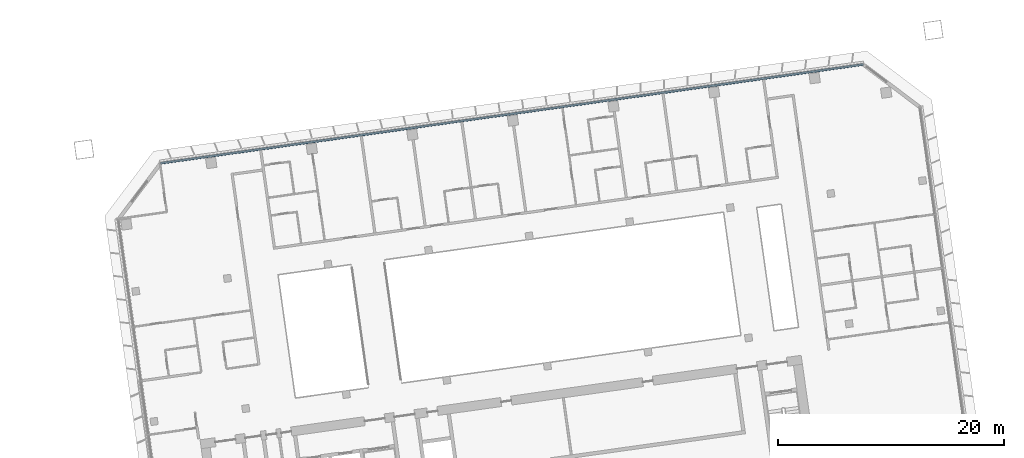
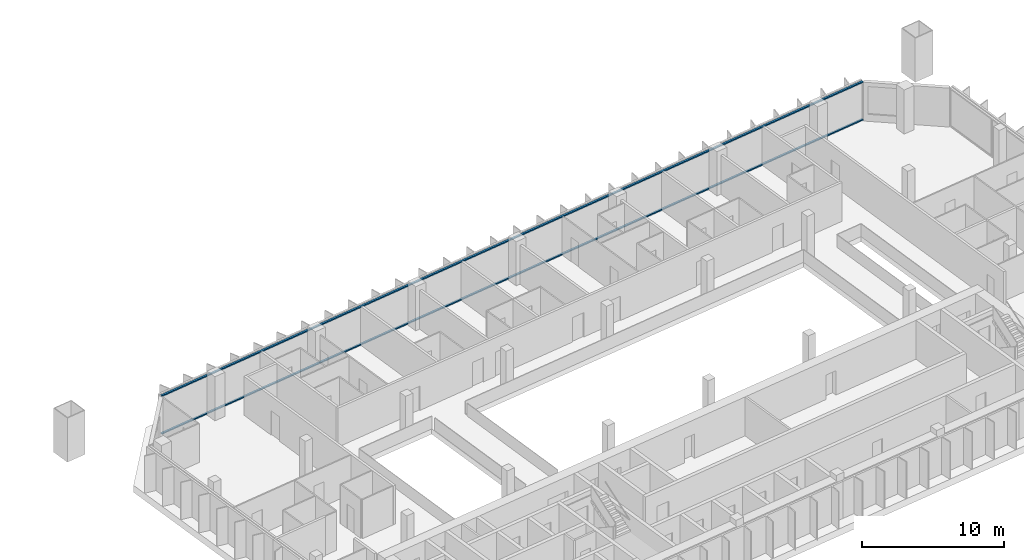
# One storey, part 9 of 25: 2 members, 1 element without a shape of its own.
"""IFC4 building model written with IfcOpenShell, lengths in metres."""

import ifcopenshell
import ifcopenshell.guid

model = None  # the IFC model being written
_history = None  # IfcOwnerHistory: only IFC2X3 demands one
_inside = {}  # id of a spatial element -> (the spatial element, [elements in it])
_under = {}  # id of a project, library or spatial element -> (it, [spatial elements below it])
_declared = {}  # id of a project -> (the project, [libraries it declares])
_typed = {}  # id of a type object -> (the type object, [elements of that type])
_made_of = {}  # id of a material, layer set ... -> (it, [elements and type objects made of it])


def new_model(schema):
    """Start an empty IFC model of exactly this schema.

    Asked for "IFC4X3", IfcOpenShell would pick the latest addendum, in which some entities
    have other attributes; the version numbers below select the first issue.
    IFC2X3 requires an IfcOwnerHistory on every rooted entity: one is made here for all.
    """
    global model, _history
    if schema == "IFC4X3":
        model = ifcopenshell.file(schema_version=(4, 3, 0, 0))
    else:
        model = ifcopenshell.file(schema=schema)
    _inside.clear()
    _under.clear()
    _declared.clear()
    _typed.clear()
    _made_of.clear()
    _history = None
    if model.schema == "IFC2X3":
        org = make("IfcOrganization", Name="unknown")
        user = make(
            "IfcPersonAndOrganization",
            ThePerson=make("IfcPerson", FamilyName="unknown"),
            TheOrganization=org,
        )
        app = make(
            "IfcApplication",
            ApplicationDeveloper=org,
            Version="unknown",
            ApplicationFullName="unknown",
            ApplicationIdentifier="unknown",
        )
        _history = make(
            "IfcOwnerHistory",
            OwningUser=user,
            OwningApplication=app,
            ChangeAction="ADDED",
            CreationDate=0,
        )
    return model


def make(cls, **values):
    """One entity of the class cls with the attributes given. An attribute that is None is left unset."""
    return model.create_entity(
        cls, **{name: value for name, value in values.items() if value is not None}
    )


def rooted(cls, **values):
    """An entity with a GlobalId (a new one), such as an element, a storey or a relation."""
    return make(cls, GlobalId=ifcopenshell.guid.new(), OwnerHistory=_history, **values)


def si_unit(unit_type, name, prefix=None):
    """IfcSIUnit, for example si_unit("LENGTHUNIT", "METRE", prefix="MILLI")."""
    return make("IfcSIUnit", UnitType=unit_type, Prefix=prefix, Name=name)


def assignment(units):
    """IfcUnitAssignment: the units of a project."""
    return None if units is None else make("IfcUnitAssignment", Units=units)


def point(xyz):
    """IfcCartesianPoint."""
    return None if xyz is None else make("IfcCartesianPoint", Coordinates=xyz)


def direction(xyz):
    """IfcDirection."""
    return None if xyz is None else make("IfcDirection", DirectionRatios=xyz)


def frame(location, z_axis=None, x_axis=None):
    """IfcAxis2Placement3D, a coordinate frame: its origin and axes. An axis left out is left unset."""
    return make(
        "IfcAxis2Placement3D",
        Location=point(location),
        Axis=direction(z_axis),
        RefDirection=direction(x_axis),
    )


def frame_2d(location, x_axis=None):
    """IfcAxis2Placement2D, a coordinate frame in the plane: its origin and x axis."""
    return make(
        "IfcAxis2Placement2D", Location=point(location), RefDirection=direction(x_axis)
    )


def origin():
    """The frame at (0, 0, 0) with its axes left unset."""
    return frame((0.0, 0.0, 0.0))


def origin_2d():
    """The frame at (0, 0) in the plane with its x axis left unset."""
    return frame_2d((0.0, 0.0))


def place(relative_to, where):
    """IfcLocalPlacement: puts the frame where relative to a parent placement (None: the world)."""
    return make(
        "IfcLocalPlacement", PlacementRelTo=relative_to, RelativePlacement=where
    )


def context(
    kind, dimensions, precision=None, world=None, true_north=None, identifier=None
):
    """IfcGeometricRepresentationContext, for example the 3D "Model" context."""
    return make(
        "IfcGeometricRepresentationContext",
        ContextIdentifier=identifier,
        ContextType=kind,
        CoordinateSpaceDimension=dimensions,
        Precision=precision,
        WorldCoordinateSystem=world,
        TrueNorth=true_north,
    )


def subcontext(parent, identifier, kind, view, scale=None):
    """IfcGeometricRepresentationSubContext, for example "Body" below "Model"."""
    return make(
        "IfcGeometricRepresentationSubContext",
        ContextIdentifier=identifier,
        ContextType=kind,
        ParentContext=parent,
        TargetScale=scale,
        TargetView=view,
    )


def project(units=None, contexts=None):
    """IfcProject with its units and contexts."""
    return rooted(
        "IfcProject",
        Name="project",
        RepresentationContexts=contexts,
        UnitsInContext=assignment(units),
    )


def spatial(cls, under=None, at=None, **own):
    """A site, building, storey or space (cls), placed at a placement, below another one or the project."""
    s = rooted(cls, ObjectPlacement=at, **own)
    if under is not None:
        _under.setdefault(under.id(), (under, []))[1].append(s)
    return s


def profile(cls, at=None, kind="AREA", **sizes):
    """A parametric profile (cls). Its sizes go by their IFC names, for example OverallWidth=200.0."""
    return make(cls, ProfileType=kind, Position=at, **sizes)


def rectangle(**sizes):
    """IfcRectangleProfileDef."""
    return profile("IfcRectangleProfileDef", **sizes)


def extrude(swept, where, along, depth):
    """IfcExtrudedAreaSolid: the profile swept, set in the frame where, extruded along a direction by depth."""
    return make(
        "IfcExtrudedAreaSolid",
        SweptArea=swept,
        Position=where,
        ExtrudedDirection=direction(along),
        Depth=depth,
    )


def shape(context_of_items, identifier, shape_type, items):
    """IfcShapeRepresentation: the items that make up one representation, for example the "Body"."""
    return make(
        "IfcShapeRepresentation",
        ContextOfItems=context_of_items,
        RepresentationIdentifier=identifier,
        RepresentationType=shape_type,
        Items=items,
    )


def material(Name=None, Category=None):
    """IfcMaterial."""
    return make("IfcMaterial", Name=Name, Category=Category)


def material_profile(
    of_material, cross_section, Name=None, Category=None, Priority=None
):
    """IfcMaterialProfile: a cross section and its material."""
    return make(
        "IfcMaterialProfile",
        Name=Name,
        Material=of_material,
        Profile=cross_section,
        Priority=Priority,
        Category=Category,
    )


def profile_set(profiles, Name=None, composite=None):
    """IfcMaterialProfileSet."""
    return make(
        "IfcMaterialProfileSet",
        Name=Name,
        MaterialProfiles=profiles,
        CompositeProfile=composite,
    )


def made_of(thing, what):
    """Note that an element or type object is made of a material, layer set ...; save() writes the relation."""
    if what is not None:
        _made_of.setdefault(what.id(), (what, []))[1].append(thing)
    return thing


def type_object(cls, material=None, **own):
    """A type object (cls), such as IfcWallType, which elements share."""
    return made_of(rooted(cls, **own), material)


def element(
    cls,
    number,
    at=None,
    inside=None,
    cuts=None,
    type_object=None,
    material=None,
    context=None,
    identifier="Body",
    shape_type=None,
    held_by="IfcProductDefinitionShape",
    body=None,
    shapes=None,
    **own,
):
    """One element of the class cls, such as IfcWall. Its Tag is "e" and its number.

    at: its placement. inside: the storey or other place that contains it. cuts: it is an
    opening in that element (IfcRelVoidsElement). A single representation is given by context,
    identifier, shape_type and body (its items); several are given by shapes. held_by: the class
    of the entity that holds the representations. save() writes the other relations.
    """
    e = rooted(cls, Tag="e%d" % number, ObjectPlacement=at, **own)
    if body is not None:
        shapes = [shape(context, identifier, shape_type, body)]
    if shapes is not None:
        e.Representation = make(held_by, Representations=shapes)
    if inside is not None:
        _inside.setdefault(inside.id(), (inside, []))[1].append(e)
    if cuts is not None:
        rooted(
            "IfcRelVoidsElement", RelatingBuildingElement=cuts, RelatedOpeningElement=e
        )
    if type_object is not None:
        _typed.setdefault(type_object.id(), (type_object, []))[1].append(e)
    return made_of(e, material)


def aggregate(whole, parts):
    """IfcRelAggregates: a whole, such as a stair, and the parts it consists of."""
    return rooted("IfcRelAggregates", RelatingObject=whole, RelatedObjects=parts)


def save(model, path):
    """Write the relations noted so far, then the file.

    IfcRelAggregates (storeys below a building ...), IfcRelContainedInSpatialStructure (elements
    in a storey), IfcRelDefinesByType, IfcRelAssociatesMaterial and IfcRelDeclares: one each for
    every whole, place, type object, material and project.
    """
    for whole, parts in _under.values():
        aggregate(whole, parts)
    for where, things in _inside.values():
        rooted(
            "IfcRelContainedInSpatialStructure",
            RelatedElements=things,
            RelatingStructure=where,
        )
    for kind, things in _typed.values():
        rooted("IfcRelDefinesByType", RelatedObjects=things, RelatingType=kind)
    for what, things in _made_of.values():
        rooted("IfcRelAssociatesMaterial", RelatedObjects=things, RelatingMaterial=what)
    for by, libraries in _declared.values():
        rooted("IfcRelDeclares", RelatingContext=by, RelatedDefinitions=libraries)
    model.write(path)


model = new_model("IFC4")

# Units and contexts
model_context = context("Model", 3, precision=1e-05, world=origin(), true_north=direction((0.0, 1.0)))
body_context = subcontext(model_context, "Body", "Model", "MODEL_VIEW")
ifc_project = project(units=[si_unit("LENGTHUNIT", "METRE"), si_unit("AREAUNIT", "SQUARE_METRE"), si_unit("VOLUMEUNIT", "CUBIC_METRE"), si_unit("PLANEANGLEUNIT", "RADIAN"), si_unit("MASSUNIT", "GRAM", prefix="KILO")], contexts=[model_context])

# Site, building, storey
site_placement = place(None, origin())
site = spatial("IfcSite", under=ifc_project, at=site_placement, CompositionType="ELEMENT")
building_placement = place(site_placement, origin())
building = spatial("IfcBuilding", under=site, at=building_placement, Name="Mirante Cascada Hotel Towers", CompositionType="ELEMENT")
storey_placement = place(building_placement, frame((0.0, 0.0, 102.5)))
storey = spatial("IfcBuildingStorey", under=building, at=storey_placement, Name="L22", CompositionType="ELEMENT", Elevation=102.5)

# Curtain wall, members
ifc_material_1 = material(Name="Aluminium mullion and transom frame with clear laminated glass", Category="aluminium")
curtain_wall_type = type_object("IfcCurtainWallType", Name="Ribbon curtain wall ECW1", PredefinedType="NOTDEFINED", material=ifc_material_1)
curtain_wall_placement = place(storey_placement, origin())
curtain_wall = element("IfcCurtainWall", 1, at=curtain_wall_placement, inside=storey, type_object=curtain_wall_type, Name="Front ribbon wall T2 L22", PredefinedType="NOTDEFINED")
ifc_material_2 = material(Name="Anodised aluminium extrusion", Category="aluminium")
ifc_material_profile = material_profile(ifc_material_2, rectangle(XDim=0.16, YDim=0.1, at=origin_2d()), Name="ECW1 TRANSOM 100x160")
ifc_profile_set = profile_set([ifc_material_profile], Name="Anodised aluminium extrusion")
member_type = type_object("IfcMemberType", Name="ECW1 transom 100x160", PredefinedType="USERDEFINED", material=ifc_profile_set)
member_1_placement = place(storey_placement, frame((94.1582, 26.0521, 0.05), z_axis=(-0.9902681, -0.1391728, 0.0), x_axis=(0.1391728, -0.9902681, 0.0)))
member_1 = element("IfcMember", 2, at=member_1_placement, type_object=member_type, Name="ECW1 sill transom", ObjectType="TRANSOM", PredefinedType="USERDEFINED", context=body_context, shape_type="SweptSolid", body=[
    extrude(rectangle(XDim=0.16, YDim=0.1, at=origin_2d()), origin(), (0.0, 0.0, 1.0), 62.8758),
])
member_2_placement = place(storey_placement, frame((94.1582, 26.0521, 3.3), z_axis=(-0.9902681, -0.1391728, 0.0), x_axis=(0.1391728, -0.9902681, 0.0)))
member_2 = element("IfcMember", 3, at=member_2_placement, type_object=member_type, Name="ECW1 head transom", ObjectType="TRANSOM", PredefinedType="USERDEFINED", context=body_context, shape_type="SweptSolid", body=[
    extrude(rectangle(XDim=0.16, YDim=0.1, at=origin_2d()), origin(), (0.0, 0.0, 1.0), 62.8758),
])
aggregate(curtain_wall, [member_1, member_2])

save(model, "model.ifc")
